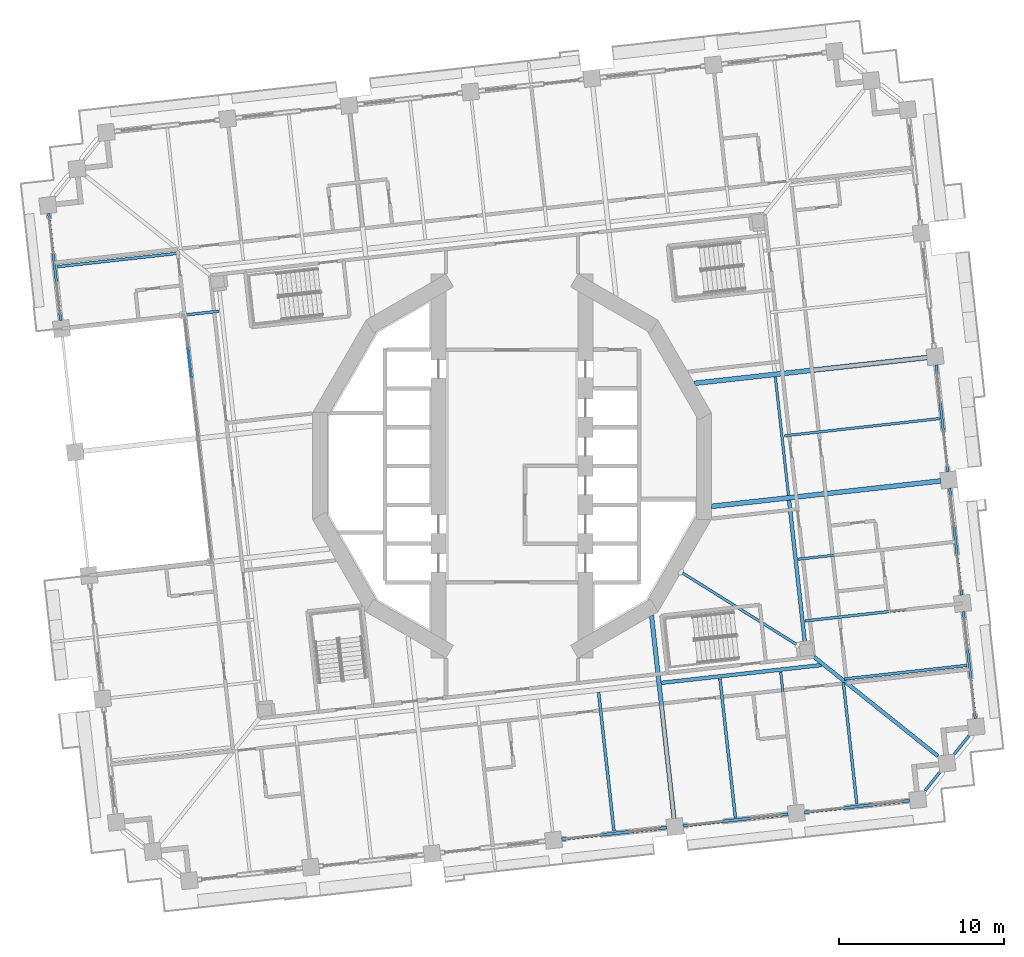
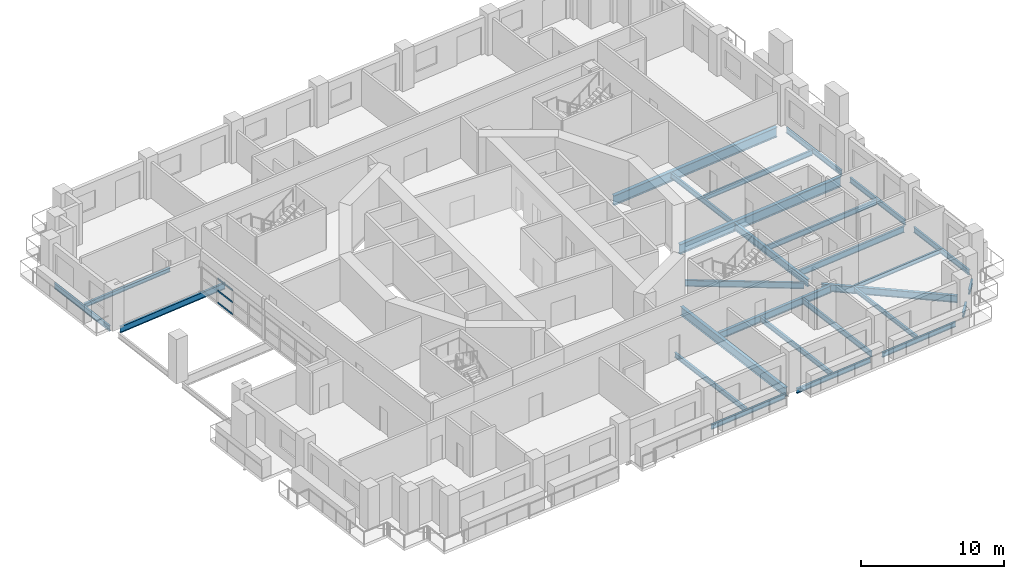
# One storey, part 3 of 21: 27 beams, 3 members, 1 element without a shape of its own.
"""IFC4 building model written with IfcOpenShell, lengths in metres."""

from ifc_helpers import new_model, si_unit, direction, frame, origin, origin_2d, place, context, subcontext, project, spatial, rectangle, i_section, extrude, material, material_profile, profile_set, type_object, element, aggregate, save


model = new_model("IFC4")

# Units and contexts
model_context = context("Model", 3, precision=1e-05, world=origin(), true_north=direction((0.0, 1.0)))
body_context = subcontext(model_context, "Body", "Model", "MODEL_VIEW")
ifc_project = project(units=[si_unit("LENGTHUNIT", "METRE"), si_unit("AREAUNIT", "SQUARE_METRE"), si_unit("VOLUMEUNIT", "CUBIC_METRE"), si_unit("PLANEANGLEUNIT", "RADIAN"), si_unit("MASSUNIT", "GRAM", prefix="KILO")], contexts=[model_context])

# Site, building, storey
site_placement = place(None, origin())
site = spatial("IfcSite", under=ifc_project, at=site_placement, CompositionType="ELEMENT")
building_placement = place(site_placement, origin())
building = spatial("IfcBuilding", under=site, at=building_placement, Name="Cantera Rosa Tower", CompositionType="ELEMENT")
storey_placement = place(building_placement, frame((0.0, 0.0, 69.10009765625)))
storey = spatial("IfcBuildingStorey", under=building, at=storey_placement, Name="L14", CompositionType="ELEMENT", Elevation=69.10009765625)

# Curtain wall, members
ifc_material_1 = material(Name="Aluminium frame with clear glass", Category="aluminium")
curtain_wall_type = type_object("IfcCurtainWallType", Name="CW1 TERRACE POCKET GLAZING", PredefinedType="NOTDEFINED", material=ifc_material_1)
curtain_wall_placement = place(storey_placement, origin())
curtain_wall = element("IfcCurtainWall", 1, at=curtain_wall_placement, inside=storey, type_object=curtain_wall_type, Name="CW1 CW1", PredefinedType="NOTDEFINED")
ifc_material_2 = material(Name="Anodised bronze aluminium", Category="aluminium")
ifc_material_profile_1 = material_profile(ifc_material_2, rectangle(XDim=0.06005859375, YDim=0.139892578125, at=origin_2d()), Name="CW-TRANSOM 60x140 POCKET")
ifc_profile_set_1 = profile_set([ifc_material_profile_1], Name="Anodised bronze aluminium")
member_type = type_object("IfcMemberType", Name="CW-TRANSOM 60x140 POCKET", PredefinedType="USERDEFINED", material=ifc_profile_set_1)
member_1_placement = place(storey_placement, frame((-19.609130859375, 7.15673828125, 0.02978515625), z_axis=(0.110281721709, -0.993900368174, 0.0), x_axis=(0.993900368174, 0.110281721709, 0.0)))
member_1 = element("IfcMember", 2, at=member_1_placement, type_object=member_type, Name="CW1 transom 2.1", ObjectType="TRANSOM", PredefinedType="USERDEFINED", context=body_context, shape_type="SweptSolid", body=[
    extrude(rectangle(XDim=0.06005859375, YDim=0.139892578125, at=origin_2d()), origin(), (0.0, 0.0, 1.0), 1.788818359375),
])
member_2_placement = place(storey_placement, frame((-19.609130859375, 7.15673828125, 1.052001953125), z_axis=(0.110281721709, -0.993900368174, 0.0), x_axis=(0.993900368174, 0.110281721709, 0.0)))
member_2 = element("IfcMember", 3, at=member_2_placement, type_object=member_type, Name="CW1 transom 2.2", ObjectType="TRANSOM", PredefinedType="USERDEFINED", context=body_context, shape_type="SweptSolid", body=[
    extrude(rectangle(XDim=0.06005859375, YDim=0.139892578125, at=origin_2d()), origin(), (0.0, 0.0, 1.0), 1.788818359375),
])
member_3_placement = place(storey_placement, frame((-19.609130859375, 7.15673828125, 2.073974609375), z_axis=(0.110281721709, -0.993900368174, 0.0), x_axis=(0.993900368174, 0.110281721709, 0.0)))
member_3 = element("IfcMember", 4, at=member_3_placement, type_object=member_type, Name="CW1 transom 2.3", ObjectType="TRANSOM", PredefinedType="USERDEFINED", context=body_context, shape_type="SweptSolid", body=[
    extrude(rectangle(XDim=0.06005859375, YDim=0.139892578125, at=origin_2d()), origin(), (0.0, 0.0, 1.0), 1.788818359375),
])
aggregate(curtain_wall, [member_1, member_2, member_3])

# Beams
ifc_material_3 = material(Name="Steel ASTM A992 (Fy 345 MPa)", Category="steel")
ifc_material_profile_2 = material_profile(ifc_material_3, i_section(OverallWidth=0.154052734375, OverallDepth=0.4599609375, WebThickness=0.009033203125, FlangeThickness=0.015380859375, FilletRadius=0.01025390625, at=origin_2d()), Name="W460X68")
ifc_profile_set_2 = profile_set([ifc_material_profile_2], Name="Steel ASTM A992 (Fy 345 MPa)")
beam_type_1 = type_object("IfcBeamType", Name="STEEL BEAM W460X68", PredefinedType="BEAM", material=ifc_profile_set_2)
beam_1_placement = place(storey_placement, frame((17.169677734375, -20.53125, -0.47998046875), z_axis=(-0.110315740112, 0.993896592953, 0.0), x_axis=(-0.993896592953, -0.110315740112, 0.0)))
element("IfcBeam", 5, at=beam_1_placement, inside=storey, type_object=beam_type_1, Name="G-Z1-14 L14", PredefinedType="BEAM", context=body_context, shape_type="SweptSolid", body=[
    extrude(i_section(OverallWidth=0.154052734375, OverallDepth=0.4599609375, WebThickness=0.009033203125, FlangeThickness=0.015380859375, FilletRadius=0.01025390625, at=origin_2d()), origin(), (0.0, 0.0, 1.0), 8.099853515625),
])
beam_2_placement = place(storey_placement, frame((16.747802734375, -1.7734375, -0.47998046875), z_axis=(-0.110301629462, 0.993898159037, 0.0), x_axis=(-0.993898159037, -0.110301629462, 0.0)))
element("IfcBeam", 6, at=beam_2_placement, inside=storey, type_object=beam_type_1, Name="RB-Z1-08 L14", PredefinedType="BEAM", context=body_context, shape_type="SweptSolid", body=[
    extrude(i_section(OverallWidth=0.154052734375, OverallDepth=0.4599609375, WebThickness=0.009033203125, FlangeThickness=0.015380859375, FilletRadius=0.01025390625, at=origin_2d()), origin(), (0.0, 0.0, 1.0), 7.219970703125),
])
ifc_material_4 = material(Name="Steel ASTM A992 (Fy 345 MPa)", Category="steel")
ifc_material_profile_3 = material_profile(ifc_material_4, i_section(OverallWidth=0.166015625, OverallDepth=0.528076171875, WebThickness=0.009765625, FlangeThickness=0.013671875, FilletRadius=0.0126953125, at=origin_2d()), Name="W530X74")
ifc_profile_set_3 = profile_set([ifc_material_profile_3], Name="Steel ASTM A992 (Fy 345 MPa)")
beam_type_2 = type_object("IfcBeamType", Name="STEEL BEAM W530X74", PredefinedType="BEAM", material=ifc_profile_set_3)
for number, where, z_axis, x_axis, name in (
    (7, (26.78759765625, -8.376220703125, -0.51416015625), (-0.993899428859, -0.110290186845, 0.0), (0.110290186845, -0.993899428859, 0.0), "G-Z1-01 L14"),
    (8, (-26.78759765625, 8.376220703125, -0.51416015625), (0.993899428859, 0.110290186845, 0.0), (-0.110290186845, 0.993899428859, 0.0), "G-Z1-15 L14"),
):
    element("IfcBeam", number, at=place(storey_placement, frame(where, z_axis=z_axis, x_axis=x_axis)), inside=storey, type_object=beam_type_2, Name=name, PredefinedType="BEAM", context=body_context, shape_type="SweptSolid", body=[
        extrude(i_section(OverallWidth=0.166015625, OverallDepth=0.528076171875, WebThickness=0.009765625, FlangeThickness=0.013671875, FilletRadius=0.0126953125, at=origin_2d()), origin(), (0.0, 0.0, 1.0), 9.10009765625),
    ])
beam_3_placement = place(storey_placement, frame((17.302490234375, -10.8505859375, -0.51416015625), z_axis=(-0.847189957301, 0.531290105543, 0.0), x_axis=(-0.531290105543, -0.847189957301, 0.0)))
element("IfcBeam", 9, at=beam_3_placement, inside=storey, type_object=beam_type_2, Name="PG-Z1-01 L14", PredefinedType="BEAM", context=body_context, shape_type="SweptSolid", body=[
    extrude(i_section(OverallWidth=0.166015625, OverallDepth=0.528076171875, WebThickness=0.009765625, FlangeThickness=0.013671875, FilletRadius=0.0126953125, at=origin_2d()), origin(), (0.0, 0.0, 1.0), 8.34130859375),
])
ifc_material_5 = material(Name="Steel ASTM A992 (Fy 345 MPa)", Category="steel")
ifc_material_profile_4 = material_profile(ifc_material_5, i_section(OverallWidth=0.22802734375, OverallDepth=0.60205078125, WebThickness=0.010498046875, FlangeThickness=0.014892578125, FilletRadius=0.0126953125, at=origin_2d()), Name="W610X101")
ifc_profile_set_4 = profile_set([ifc_material_profile_4], Name="Steel ASTM A992 (Fy 345 MPa)")
beam_type_3 = type_object("IfcBeamType", Name="STEEL BEAM W610X101", PredefinedType="BEAM", material=ifc_profile_set_4)
beam_4_placement = place(storey_placement, frame((25.794677734375, -17.561767578125, -0.551025390625), z_axis=(-0.78078211406, 0.62480340137, 0.0), x_axis=(-0.62480340137, -0.78078211406, 0.0)))
element("IfcBeam", 10, at=beam_4_placement, inside=storey, type_object=beam_type_3, Name="CB-Z1-04 L14", PredefinedType="BEAM", context=body_context, shape_type="SweptSolid", body=[
    extrude(i_section(OverallWidth=0.22802734375, OverallDepth=0.60205078125, WebThickness=0.010498046875, FlangeThickness=0.014892578125, FilletRadius=0.0126953125, at=origin_2d()), origin(), (0.0, 0.0, 1.0), 9.61669921875),
])
beam_5_placement = place(storey_placement, frame((17.739501953125, -10.70849609375, -0.551025390625), z_axis=(-0.110298932846, 0.993898458301, 0.0), x_axis=(-0.993898458301, -0.110298932846, 0.0)))
element("IfcBeam", 11, at=beam_5_placement, inside=storey, type_object=beam_type_3, Name="RB-Z1-07 L14", PredefinedType="BEAM", context=body_context, shape_type="SweptSolid", body=[
    extrude(i_section(OverallWidth=0.22802734375, OverallDepth=0.60205078125, WebThickness=0.010498046875, FlangeThickness=0.014892578125, FilletRadius=0.0126953125, at=origin_2d()), origin(), (0.0, 0.0, 1.0), 8.68994140625),
])
ifc_material_6 = material(Name="Steel ASTM A992 (Fy 345 MPa)", Category="steel")
ifc_material_profile_5 = material_profile(ifc_material_6, i_section(OverallWidth=0.22900390625, OverallDepth=0.612060546875, WebThickness=0.011962890625, FlangeThickness=0.01953125, FilletRadius=0.0126953125, at=origin_2d()), Name="W610X125")
ifc_profile_set_5 = profile_set([ifc_material_profile_5], Name="Steel ASTM A992 (Fy 345 MPa)")
beam_type_4 = type_object("IfcBeamType", Name="STEEL BEAM W610X125", PredefinedType="BEAM", material=ifc_profile_set_5)
beam_6_placement = place(storey_placement, frame((9.0537109375, -13.13134765625, -0.55615234375), z_axis=(0.993898383269, 0.110299608956, 0.0), x_axis=(-0.110299608956, 0.993898383269, 0.0)))
element("IfcBeam", 12, at=beam_6_placement, inside=storey, type_object=beam_type_4, Name="RB-Z1-06 L14", PredefinedType="BEAM", context=body_context, shape_type="SweptSolid", body=[
    extrude(i_section(OverallWidth=0.22900390625, OverallDepth=0.612060546875, WebThickness=0.011962890625, FlangeThickness=0.01953125, FilletRadius=0.0126953125, at=origin_2d()), origin(), (0.0, 0.0, 1.0), 9.750244140625),
])
ifc_material_7 = material(Name="Steel ASTM A992 (Fy 345 MPa)", Category="steel")
ifc_material_profile_6 = material_profile(ifc_material_7, i_section(OverallWidth=0.26708984375, OverallDepth=0.75390625, WebThickness=0.01318359375, FlangeThickness=0.01708984375, FilletRadius=0.0166015625, at=origin_2d()), Name="W760X147")
ifc_profile_set_6 = profile_set([ifc_material_profile_6], Name="Steel ASTM A992 (Fy 345 MPa)")
beam_type_5 = type_object("IfcBeamType", Name="STEEL BEAM W760X147", PredefinedType="BEAM", material=ifc_profile_set_6)
beam_7_placement = place(storey_placement, frame((9.814697265625, -21.34765625, -0.627197265625), z_axis=(-0.110292782244, 0.993899140851, 0.0), x_axis=(-0.993899140851, -0.110292782244, 0.0)))
element("IfcBeam", 13, at=beam_7_placement, inside=storey, type_object=beam_type_5, Name="G-Z1-13 L14", PredefinedType="BEAM", context=body_context, shape_type="SweptSolid", body=[
    extrude(i_section(OverallWidth=0.26708984375, OverallDepth=0.75390625, WebThickness=0.01318359375, FlangeThickness=0.01708984375, FilletRadius=0.0166015625, at=origin_2d()), origin(), (0.0, 0.0, 1.0), 12.360595703125),
])
ifc_material_8 = material(Name="Steel ASTM A992 (Fy 345 MPa)", Category="steel")
ifc_material_profile_7 = material_profile(ifc_material_8, i_section(OverallWidth=0.2919921875, OverallDepth=0.8359375, WebThickness=0.013916015625, FlangeThickness=0.018798828125, FilletRadius=0.017822265625, at=origin_2d()), Name="W840X176")
ifc_profile_set_7 = profile_set([ifc_material_profile_7], Name="Steel ASTM A992 (Fy 345 MPa)")
beam_type_6 = type_object("IfcBeamType", Name="STEEL BEAM W840X176", PredefinedType="BEAM", material=ifc_profile_set_7)
beam_8_placement = place(storey_placement, frame((25.9580078125, -0.902099609375, -0.668212890625), z_axis=(-0.993898644981, -0.110297250672, 0.0), x_axis=(0.110297250672, -0.993898644981, 0.0)))
element("IfcBeam", 14, at=beam_8_placement, inside=storey, type_object=beam_type_6, Name="G-Z1-02 L14", PredefinedType="BEAM", context=body_context, shape_type="SweptSolid", body=[
    extrude(i_section(OverallWidth=0.2919921875, OverallDepth=0.8359375, WebThickness=0.013916015625, FlangeThickness=0.018798828125, FilletRadius=0.017822265625, at=origin_2d()), origin(), (0.0, 0.0, 1.0), 13.96923828125),
])
beam_9_placement = place(storey_placement, frame((25.12841796875, 6.572021484375, -0.668212890625), z_axis=(-0.993897599241, -0.110306673519, 0.0), x_axis=(0.110306673519, -0.993897599241, 0.0)))
element("IfcBeam", 15, at=beam_9_placement, inside=storey, type_object=beam_type_6, Name="G-Z1-03 L14", PredefinedType="BEAM", context=body_context, shape_type="SweptSolid", body=[
    extrude(i_section(OverallWidth=0.2919921875, OverallDepth=0.8359375, WebThickness=0.013916015625, FlangeThickness=0.018798828125, FilletRadius=0.017822265625, at=origin_2d()), origin(), (0.0, 0.0, 1.0), 14.1650390625),
])
ifc_material_9 = material(Name="Steel ASTM A992 (Fy 345 MPa)", Category="steel")
ifc_material_profile_8 = material_profile(ifc_material_9, i_section(OverallWidth=0.1708984375, OverallDepth=0.35595703125, WebThickness=0.00732421875, FlangeThickness=0.01171875, FilletRadius=0.010009765625, at=origin_2d()), Name="W360X51")
ifc_profile_set_8 = profile_set([ifc_material_profile_8], Name="Steel ASTM A992 (Fy 345 MPa)")
beam_type_7 = type_object("IfcBeamType", Name="STEEL JOIST W360X51", PredefinedType="JOIST", material=ifc_profile_set_8)
beam_10_placement = place(storey_placement, frame((27.550048828125, -12.074462890625, -0.427978515625), z_axis=(-0.993895702238, -0.110323764768, 0.0), x_axis=(0.110323764768, -0.993895702238, 0.0)))
element("IfcBeam", 16, at=beam_10_placement, inside=storey, type_object=beam_type_7, Name="B-Z1-01 L14", PredefinedType="JOIST", context=body_context, shape_type="SweptSolid", body=[
    extrude(i_section(OverallWidth=0.1708984375, OverallDepth=0.35595703125, WebThickness=0.00732421875, FlangeThickness=0.01171875, FilletRadius=0.010009765625, at=origin_2d()), origin(), (0.0, 0.0, 1.0), 7.4599609375),
])
beam_11_placement = place(storey_placement, frame((20.8857421875, -20.470947265625, -0.427978515625), z_axis=(-0.110326513132, 0.993895397162, 0.0), x_axis=(-0.993895397162, -0.110326513132, 0.0)))
element("IfcBeam", 17, at=beam_11_placement, inside=storey, type_object=beam_type_7, Name="B-Z1-17 L14", PredefinedType="JOIST", context=body_context, shape_type="SweptSolid", body=[
    extrude(i_section(OverallWidth=0.1708984375, OverallDepth=0.35595703125, WebThickness=0.00732421875, FlangeThickness=0.01171875, FilletRadius=0.010009765625, at=origin_2d()), origin(), (0.0, 0.0, 1.0), 7.39990234375),
])
beam_12_placement = place(storey_placement, frame((-27.550048828125, 12.074462890625, -0.427978515625), z_axis=(0.993895702238, 0.110323764768, 0.0), x_axis=(-0.110323764768, 0.993895702238, 0.0)))
element("IfcBeam", 18, at=beam_12_placement, inside=storey, type_object=beam_type_7, Name="B-Z1-18 L14", PredefinedType="JOIST", context=body_context, shape_type="SweptSolid", body=[
    extrude(i_section(OverallWidth=0.1708984375, OverallDepth=0.35595703125, WebThickness=0.00732421875, FlangeThickness=0.01171875, FilletRadius=0.010009765625, at=origin_2d()), origin(), (0.0, 0.0, 1.0), 7.4599609375),
])
ifc_material_10 = material(Name="Steel ASTM A992 (Fy 345 MPa)", Category="steel")
ifc_material_profile_9 = material_profile(ifc_material_10, i_section(OverallWidth=0.177978515625, OverallDepth=0.406005859375, WebThickness=0.0078125, FlangeThickness=0.0126953125, FilletRadius=0.01025390625, at=origin_2d()), Name="W410X60")
ifc_profile_set_9 = profile_set([ifc_material_profile_9], Name="Steel ASTM A992 (Fy 345 MPa)")
beam_type_8 = type_object("IfcBeamType", Name="STEEL JOIST W410X60", PredefinedType="JOIST", material=ifc_profile_set_9)
for number, where, z_axis, x_axis, name in (
    (19, (6.176025390625, -22.103515625, -0.453125), (-0.110311022989, 0.99389711651, 0.0), (-0.99389711651, -0.110311022989, 0.0), "B-Z1-15 L14"),
    (20, (13.53076171875, -21.287353515625, -0.453125), (-0.110311022989, 0.99389711651, 0.0), (-0.99389711651, -0.110311022989, 0.0), "B-Z1-16 L14"),
):
    element("IfcBeam", number, at=place(storey_placement, frame(where, z_axis=z_axis, x_axis=x_axis)), inside=storey, type_object=beam_type_8, Name=name, PredefinedType="JOIST", context=body_context, shape_type="SweptSolid", body=[
        extrude(i_section(OverallWidth=0.177978515625, OverallDepth=0.406005859375, WebThickness=0.0078125, FlangeThickness=0.0126953125, FilletRadius=0.01025390625, at=origin_2d()), origin(), (0.0, 0.0, 1.0), 8.449951171875),
    ])
ifc_material_11 = material(Name="Steel ASTM A992 (Fy 345 MPa)", Category="steel")
ifc_material_profile_10 = material_profile(ifc_material_11, i_section(OverallWidth=0.154052734375, OverallDepth=0.4599609375, WebThickness=0.009033203125, FlangeThickness=0.015380859375, FilletRadius=0.01025390625, at=origin_2d()), Name="W460X68")
ifc_profile_set_10 = profile_set([ifc_material_profile_10], Name="Steel ASTM A992 (Fy 345 MPa)")
beam_type_9 = type_object("IfcBeamType", Name="STEEL JOIST W460X68", PredefinedType="JOIST", material=ifc_profile_set_10)
for number, where, z_axis, x_axis, name in (
    (21, (26.720458984375, -4.600341796875, -0.47998046875), (-0.993896645353, -0.110315268011, 0.0), (0.110315268011, -0.993896645353, 0.0), "B-Z1-02 L14"),
    (22, (25.89111328125, 2.87353515625, -0.47998046875), (-0.993899477629, -0.110289747342, 0.0), (0.110289747342, -0.993899477629, 0.0), "B-Z1-03 L14"),
):
    element("IfcBeam", number, at=place(storey_placement, frame(where, z_axis=z_axis, x_axis=x_axis)), inside=storey, type_object=beam_type_9, Name=name, PredefinedType="JOIST", context=body_context, shape_type="SweptSolid", body=[
        extrude(i_section(OverallWidth=0.154052734375, OverallDepth=0.4599609375, WebThickness=0.009033203125, FlangeThickness=0.015380859375, FilletRadius=0.01025390625, at=origin_2d()), origin(), (0.0, 0.0, 1.0), 9.449951171875),
    ])
ifc_material_12 = material(Name="Steel ASTM A992 (Fy 345 MPa)", Category="steel")
ifc_material_profile_11 = material_profile(ifc_material_12, i_section(OverallWidth=0.1708984375, OverallDepth=0.35595703125, WebThickness=0.00732421875, FlangeThickness=0.01171875, FilletRadius=0.010009765625, at=origin_2d()), Name="W360X51")
ifc_profile_set_11 = profile_set([ifc_material_profile_11], Name="Steel ASTM A992 (Fy 345 MPa)")
beam_type_10 = type_object("IfcBeamType", Name="STEEL SPANDREL BEAM W360X51", PredefinedType="SPANDREL", material=ifc_profile_set_11)
for number, where, z_axis, x_axis, name in (
    (23, (25.021484375, -19.659912109375, -0.427978515625), (0.624758203863, 0.780818280208, 0.0), (-0.780818280208, 0.624758203863, 0.0), "EB-Z1-29 L14"),
    (24, (26.78857421875, -17.451416015625, -0.427978515625), (0.624758203863, 0.780818280208, 0.0), (-0.780818280208, 0.624758203863, 0.0), "EB-Z1-30 L14"),
):
    element("IfcBeam", number, at=place(storey_placement, frame(where, z_axis=z_axis, x_axis=x_axis)), inside=storey, type_object=beam_type_10, Name=name, PredefinedType="SPANDREL", context=body_context, shape_type="SweptSolid", body=[
        extrude(i_section(OverallWidth=0.1708984375, OverallDepth=0.35595703125, WebThickness=0.00732421875, FlangeThickness=0.01171875, FilletRadius=0.010009765625, at=origin_2d()), origin(), (0.0, 0.0, 1.0), 1.414306640625),
    ])
ifc_material_13 = material(Name="Steel ASTM A992 (Fy 345 MPa)", Category="steel")
ifc_material_profile_12 = material_profile(ifc_material_13, i_section(OverallWidth=0.177978515625, OverallDepth=0.406005859375, WebThickness=0.0078125, FlangeThickness=0.0126953125, FilletRadius=0.01025390625, at=origin_2d()), Name="W410X60")
ifc_profile_set_12 = profile_set([ifc_material_profile_12], Name="Steel ASTM A992 (Fy 345 MPa)")
beam_type_11 = type_object("IfcBeamType", Name="STEEL SPANDREL BEAM W410X60", PredefinedType="SPANDREL", material=ifc_profile_set_12)
beam_13_placement = place(storey_placement, frame((3.011962890625, -22.605712890625, -0.453125), z_axis=(0.993896288542, 0.110318482689, 0.0), x_axis=(-0.110318482689, 0.993896288542, 0.0)))
element("IfcBeam", 25, at=beam_13_placement, inside=storey, type_object=beam_type_11, Name="EB-Z1-26 L14", PredefinedType="SPANDREL", context=body_context, shape_type="SweptSolid", body=[
    extrude(i_section(OverallWidth=0.177978515625, OverallDepth=0.406005859375, WebThickness=0.0078125, FlangeThickness=0.0126953125, FilletRadius=0.01025390625, at=origin_2d()), origin(), (0.0, 0.0, 1.0), 6.400146484375),
])
beam_14_placement = place(storey_placement, frame((10.366943359375, -21.789306640625, -0.453125), z_axis=(0.993900006422, 0.110284981906, 0.0), x_axis=(-0.110284981906, 0.993900006422, 0.0)))
element("IfcBeam", 26, at=beam_14_placement, inside=storey, type_object=beam_type_11, Name="EB-Z1-27 L14", PredefinedType="SPANDREL", context=body_context, shape_type="SweptSolid", body=[
    extrude(i_section(OverallWidth=0.177978515625, OverallDepth=0.406005859375, WebThickness=0.0078125, FlangeThickness=0.0126953125, FilletRadius=0.01025390625, at=origin_2d()), origin(), (0.0, 0.0, 1.0), 6.39990234375),
])
beam_15_placement = place(storey_placement, frame((17.7216796875, -20.97314453125, -0.453125), z_axis=(0.993896288542, 0.110318482689, 0.0), x_axis=(-0.110318482689, 0.993896288542, 0.0)))
element("IfcBeam", 27, at=beam_15_placement, inside=storey, type_object=beam_type_11, Name="EB-Z1-28 L14", PredefinedType="SPANDREL", context=body_context, shape_type="SweptSolid", body=[
    extrude(i_section(OverallWidth=0.177978515625, OverallDepth=0.406005859375, WebThickness=0.0078125, FlangeThickness=0.0126953125, FilletRadius=0.01025390625, at=origin_2d()), origin(), (0.0, 0.0, 1.0), 6.400146484375),
])
ifc_material_14 = material(Name="Steel ASTM A992 (Fy 345 MPa)", Category="steel")
ifc_material_profile_13 = material_profile(ifc_material_14, i_section(OverallWidth=0.154052734375, OverallDepth=0.4599609375, WebThickness=0.009033203125, FlangeThickness=0.015380859375, FilletRadius=0.01025390625, at=origin_2d()), Name="W460X68")
ifc_profile_set_13 = profile_set([ifc_material_profile_13], Name="Steel ASTM A992 (Fy 345 MPa)")
beam_type_12 = type_object("IfcBeamType", Name="STEEL SPANDREL BEAM W460X68", PredefinedType="SPANDREL", material=ifc_profile_set_13)
for number, where, z_axis, x_axis, name in (
    (28, (28.058837890625, -15.298095703125, -0.47998046875), (-0.110312341265, 0.993896970196, 0.0), (-0.993896970196, -0.110312341265, 0.0), "EB-Z1-01 L14"),
    (29, (27.229248046875, -7.823974609375, -0.47998046875), (-0.110312341265, 0.993896970196, 0.0), (-0.993896970196, -0.110312341265, 0.0), "EB-Z1-02 L14"),
    (30, (26.399658203125, -0.349853515625, -0.47998046875), (-0.110312341265, 0.993896970196, 0.0), (-0.993896970196, -0.110312341265, 0.0), "EB-Z1-03 L14"),
    (31, (-28.058837890625, 15.298095703125, -0.47998046875), (0.110312341265, -0.993896970196, 0.0), (0.993896970196, 0.110312341265, 0.0), "EB-Z1-16 L14"),
):
    element("IfcBeam", number, at=place(storey_placement, frame(where, z_axis=z_axis, x_axis=x_axis)), inside=storey, type_object=beam_type_12, Name=name, PredefinedType="SPANDREL", context=body_context, shape_type="SweptSolid", body=[
        extrude(i_section(OverallWidth=0.154052734375, OverallDepth=0.4599609375, WebThickness=0.009033203125, FlangeThickness=0.015380859375, FilletRadius=0.01025390625, at=origin_2d()), origin(), (0.0, 0.0, 1.0), 6.52001953125),
    ])

save(model, "model.ifc")
